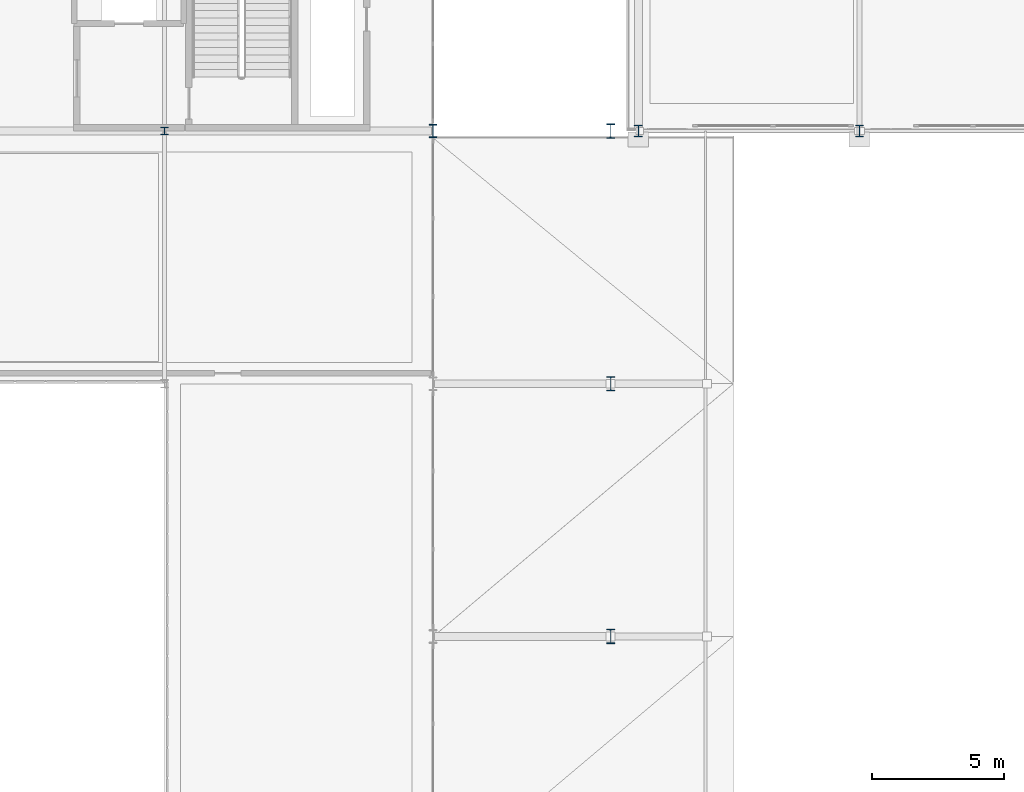
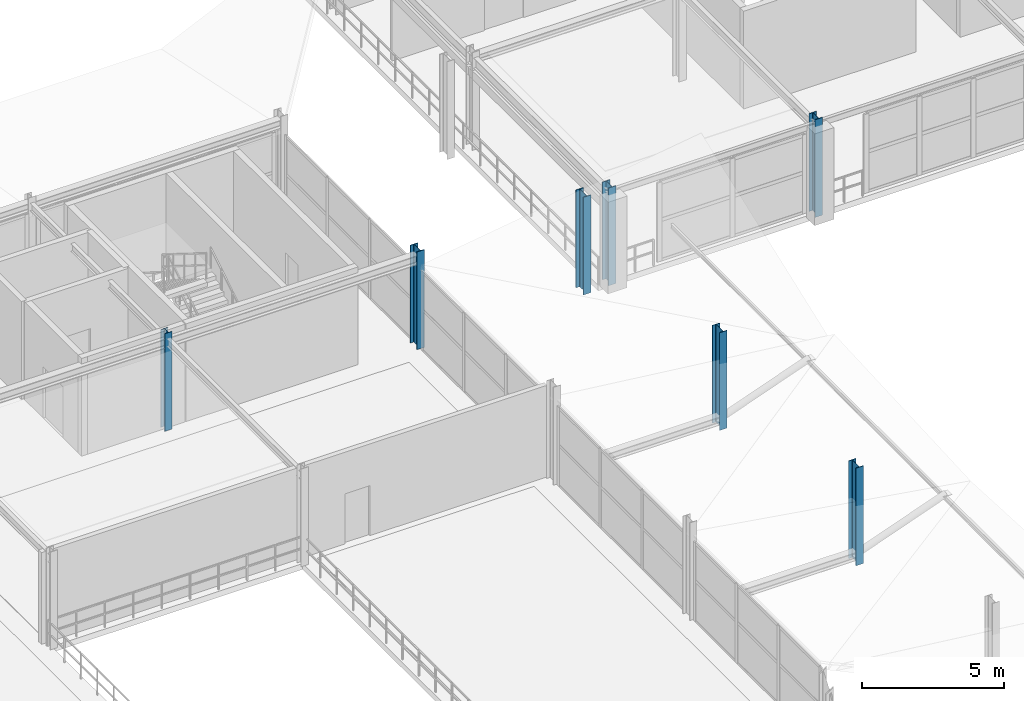
# One storey, part 6 of 81: 7 columns.
"""IFC4 building model written with IfcOpenShell, lengths in metres."""

from ifc_helpers import new_model, si_unit, direction, frame, origin, origin_2d, place, context, subcontext, project, spatial, i_section, extrude, material, material_profile, profile_set, type_object, element, save


model = new_model("IFC4")

# Units and contexts
model_context = context("Model", 3, precision=1e-05, world=origin(), true_north=direction((0.0, 1.0)))
body_context = subcontext(model_context, "Body", "Model", "MODEL_VIEW")
ifc_project = project(units=[si_unit("LENGTHUNIT", "METRE"), si_unit("AREAUNIT", "SQUARE_METRE"), si_unit("VOLUMEUNIT", "CUBIC_METRE"), si_unit("PLANEANGLEUNIT", "RADIAN"), si_unit("MASSUNIT", "GRAM", prefix="KILO")], contexts=[model_context])

# Site, building, storey
site_placement = place(None, origin())
site = spatial("IfcSite", under=ifc_project, at=site_placement, CompositionType="ELEMENT")
building_placement = place(site_placement, origin())
building = spatial("IfcBuilding", under=site, at=building_placement, Name="Myrtia Square Station", CompositionType="ELEMENT")
storey_placement = place(building_placement, frame((0.0, 0.0, 10.800048828125)))
storey = spatial("IfcBuildingStorey", under=building, at=storey_placement, Name="L02", CompositionType="ELEMENT", Elevation=10.800048828125)

# Columns
ifc_material = material(Name="Steel S355", Category="steel")
ifc_material_profile_1 = material_profile(ifc_material, i_section(OverallWidth=0.300048828125, OverallDepth=0.5400390625, WebThickness=0.012451171875, FlangeThickness=0.02392578125, FilletRadius=0.027099609375, at=origin_2d()), Name="HEA 550")
ifc_profile_set_1 = profile_set([ifc_material_profile_1], Name="Steel S355")
column_type_1 = type_object("IfcColumnType", Name="COL-HEA550", PredefinedType="COLUMN", material=ifc_profile_set_1)
for number, where, z_axis, x_axis, name in (
    (1, (116.550048828125, 67.199951171875, 0.0), (0.0, 0.0, 1.0), (1.0, 0.0, 0.0), "Column L02-0337"),
    (2, (116.550048828125, 76.800048828125, 0.0), (0.0, 0.0, 1.0), (1.0, 0.0, 0.0), "Column L02-0359"),
    (3, (116.550048828125, 86.39990234375, 0.0), (0.0, 0.0, 1.0), (1.0, 0.0, 0.0), "Column L02-0381"),
):
    element("IfcColumn", number, at=place(storey_placement, frame(where, z_axis=z_axis, x_axis=x_axis)), inside=storey, type_object=column_type_1, Name=name, PredefinedType="COLUMN", context=body_context, shape_type="SweptSolid", body=[
        extrude(i_section(OverallWidth=0.300048828125, OverallDepth=0.5400390625, WebThickness=0.012451171875, FlangeThickness=0.02392578125, FilletRadius=0.027099609375, at=origin_2d()), origin(), (0.0, 0.0, 1.0), 4.199951171875),
    ])
ifc_material_profile_2 = material_profile(ifc_material, i_section(OverallWidth=0.300048828125, OverallDepth=0.300048828125, WebThickness=0.010986328125, FlangeThickness=0.01904296875, FilletRadius=0.027099609375, at=origin_2d()), Name="HEB 300")
ifc_profile_set_2 = profile_set([ifc_material_profile_2], Name="Steel S355")
column_type_2 = type_object("IfcColumnType", Name="COL-HEB300", PredefinedType="COLUMN", material=ifc_profile_set_2)
column_1_placement = place(storey_placement, frame((99.60009765625, 86.39990234375, 0.0), z_axis=(0.0, 0.0, 1.0), x_axis=(1.0, 0.0, 0.0)))
element("IfcColumn", 4, at=column_1_placement, inside=storey, type_object=column_type_2, Name="Column L02-0474", PredefinedType="COLUMN", context=body_context, shape_type="SweptSolid", body=[
    extrude(i_section(OverallWidth=0.300048828125, OverallDepth=0.300048828125, WebThickness=0.010986328125, FlangeThickness=0.01904296875, FilletRadius=0.027099609375, at=origin_2d()), origin(), (0.0, 0.0, 1.0), 4.199951171875),
])
ifc_material_profile_3 = material_profile(ifc_material, i_section(OverallWidth=0.300048828125, OverallDepth=0.449951171875, WebThickness=0.013916015625, FlangeThickness=0.02587890625, FilletRadius=0.027099609375, at=origin_2d()), Name="HEB 450")
ifc_profile_set_3 = profile_set([ifc_material_profile_3], Name="Steel S355")
column_type_3 = type_object("IfcColumnType", Name="COL-HEB450", PredefinedType="COLUMN", material=ifc_profile_set_3)
for number, where, z_axis, x_axis, name in (
    (5, (117.60009765625, 86.39990234375, 0.0), (0.0, 0.0, 1.0), (1.0, 0.0, 0.0), "Column L02-0762"),
    (6, (126.0, 86.39990234375, 0.0), (0.0, 0.0, 1.0), (1.0, 0.0, 0.0), "Column L02-0782"),
):
    element("IfcColumn", number, at=place(storey_placement, frame(where, z_axis=z_axis, x_axis=x_axis)), inside=storey, type_object=column_type_3, Name=name, PredefinedType="COLUMN", context=body_context, shape_type="SweptSolid", body=[
        extrude(i_section(OverallWidth=0.300048828125, OverallDepth=0.449951171875, WebThickness=0.013916015625, FlangeThickness=0.02587890625, FilletRadius=0.027099609375, at=origin_2d()), origin(), (0.0, 0.0, 1.0), 4.199951171875),
    ])
ifc_material_profile_4 = material_profile(ifc_material, i_section(OverallWidth=0.300048828125, OverallDepth=0.5, WebThickness=0.014404296875, FlangeThickness=0.028076171875, FilletRadius=0.027099609375, at=origin_2d()), Name="HEB 500")
ifc_profile_set_4 = profile_set([ifc_material_profile_4], Name="Steel S355")
column_type_4 = type_object("IfcColumnType", Name="COL-HEB500", PredefinedType="COLUMN", material=ifc_profile_set_4)
column_2_placement = place(storey_placement, frame((109.800048828125, 86.39990234375, 0.0), z_axis=(0.0, 0.0, 1.0), x_axis=(1.0, 0.0, 0.0)))
element("IfcColumn", 7, at=column_2_placement, inside=storey, type_object=column_type_4, Name="Column L02-0392", PredefinedType="COLUMN", context=body_context, shape_type="SweptSolid", body=[
    extrude(i_section(OverallWidth=0.300048828125, OverallDepth=0.5, WebThickness=0.014404296875, FlangeThickness=0.028076171875, FilletRadius=0.027099609375, at=origin_2d()), origin(), (0.0, 0.0, 1.0), 4.199951171875),
])

save(model, "model.ifc")
